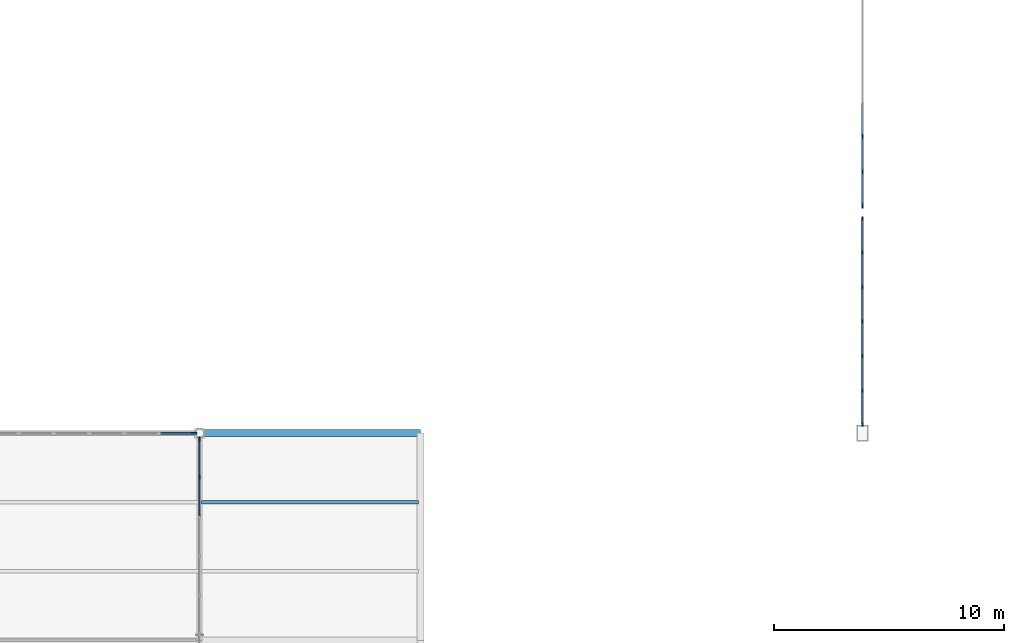
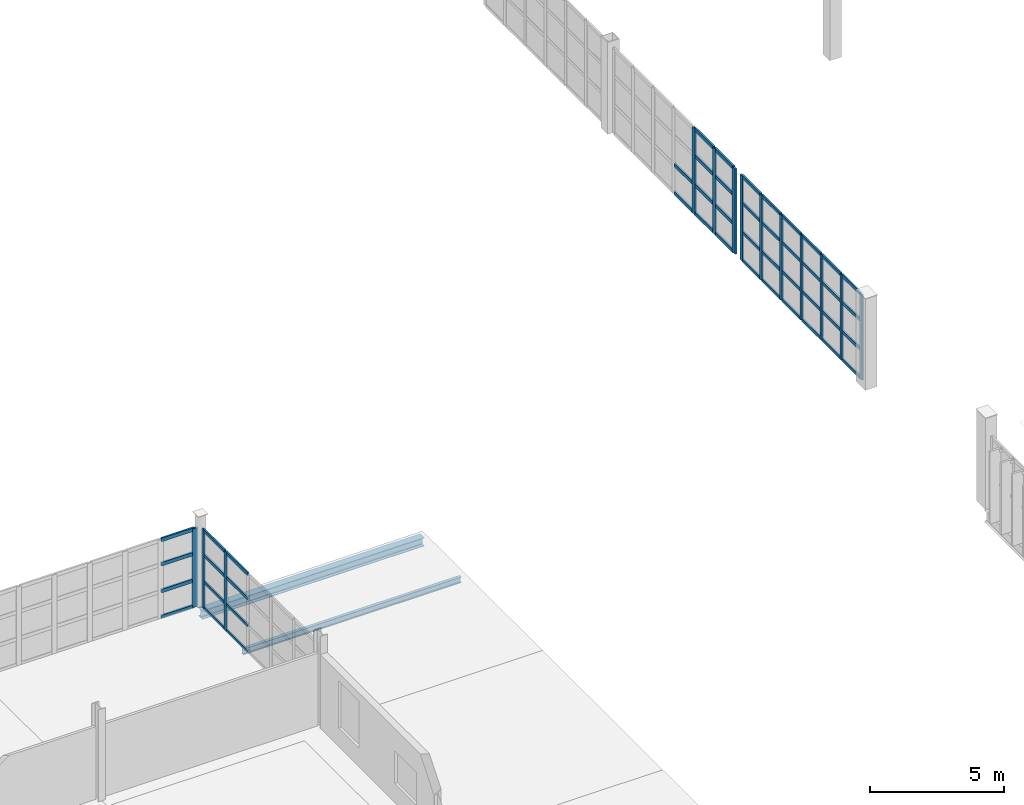
# One storey, part 31 of 82: 59 members, 2 beams, 4 elements without a shape of their own.
"""IFC4 building model written with IfcOpenShell, lengths in metres."""

from ifc_helpers import new_model, si_unit, direction, frame, origin, origin_2d, place, context, subcontext, project, spatial, rectangle, i_section, extrude, material, layer, layer_set, material_profile, profile_set, type_object, element, aggregate, save


model = new_model("IFC4")

# Units and contexts
model_context = context("Model", 3, precision=1e-05, world=origin(), true_north=direction((0.0, 1.0)))
body_context = subcontext(model_context, "Body", "Model", "MODEL_VIEW")
ifc_project = project(units=[si_unit("LENGTHUNIT", "METRE"), si_unit("AREAUNIT", "SQUARE_METRE"), si_unit("VOLUMEUNIT", "CUBIC_METRE"), si_unit("PLANEANGLEUNIT", "RADIAN"), si_unit("MASSUNIT", "GRAM", prefix="KILO")], contexts=[model_context])

# Site, building, storey
site_placement = place(None, origin())
site = spatial("IfcSite", under=ifc_project, at=site_placement, CompositionType="ELEMENT")
building_placement = place(site_placement, origin())
building = spatial("IfcBuilding", under=site, at=building_placement, Name="Zarnetskaya Central Station", CompositionType="ELEMENT")
storey_placement = place(building_placement, frame((0.0, 0.0, 10.199951171875)))
storey = spatial("IfcBuildingStorey", under=building, at=storey_placement, Name="L02", CompositionType="ELEMENT", Elevation=10.199951171875)

# Beam
ifc_material_1 = material(Name="Steel S355", Category="steel")
ifc_material_profile_1 = material_profile(ifc_material_1, i_section(OverallWidth=0.135009765625, OverallDepth=0.27001953125, WebThickness=0.006591796875, FlangeThickness=0.01025390625, FilletRadius=0.014892578125, at=origin_2d()), Name="IPE 270")
ifc_profile_set_1 = profile_set([ifc_material_profile_1], Name="Steel S355")
beam_type_1 = type_object("IfcBeamType", Name="BM-JST-270", PredefinedType="JOIST", material=ifc_profile_set_1)
beam_1_placement = place(storey_placement, frame((28.8798828125, 64.199951171875, -0.344970703125), z_axis=(1.0, 0.0, 0.0), x_axis=(0.0, 1.0, 0.0)))
element("IfcBeam", 1, at=beam_1_placement, inside=storey, type_object=beam_type_1, Name="Secondary floor beam SEC-L02-Z999-DE-89-2", PredefinedType="JOIST", context=body_context, shape_type="SweptSolid", body=[
    extrude(i_section(OverallWidth=0.135009765625, OverallDepth=0.27001953125, WebThickness=0.006591796875, FlangeThickness=0.01025390625, FilletRadius=0.014892578125, at=origin_2d()), origin(), (0.0, 0.0, 1.0), 9.440185546875),
])

# Curtain wall, members
ifc_material_2 = material(Name="Low-E insulated glass", Category="glass")
ifc_layer_1 = layer(ifc_material_2, 0.172119140625, Name="Low-E insulated glass", Category="glass")
ifc_layer_set_1 = layer_set([ifc_layer_1], Name="Low-E insulated glass")
curtain_wall_type_1 = type_object("IfcCurtainWallType", Name="CW-SYS-04", PredefinedType="USERDEFINED", material=ifc_layer_set_1)
curtain_wall_1_placement = place(storey_placement, origin())
curtain_wall_1 = element("IfcCurtainWall", 2, at=curtain_wall_1_placement, inside=storey, type_object=curtain_wall_type_1, Name="Curtain wall CW-L02-021", ObjectType="CURTAIN WALL", PredefinedType="USERDEFINED")
ifc_material_3 = material(Name="Anodised aluminium", Category="aluminium")
ifc_material_profile_2 = material_profile(ifc_material_3, rectangle(XDim=0.070068359375, YDim=0.179931640625, at=origin_2d()), Name="ALU MULL 70x180")
ifc_profile_set_2 = profile_set([ifc_material_profile_2], Name="Anodised aluminium")
member_type_1 = type_object("IfcMemberType", Name="CW-MULL-180", PredefinedType="MULLION", material=ifc_profile_set_2)
member_1_placement = place(storey_placement, frame((28.800048828125, 66.9619140625, 0.0), z_axis=(0.0, 0.0, 1.0), x_axis=(1.0, 0.0, 0.0)))
member_1 = element("IfcMember", 3, at=member_1_placement, type_object=member_type_1, Name="CW-15 mullion 1", PredefinedType="MULLION", context=body_context, shape_type="SweptSolid", body=[
    extrude(rectangle(XDim=0.070068359375, YDim=0.179931640625, at=origin_2d()), origin(), (0.0, 0.0, 1.0), 3.60009765625),
])
member_2_placement = place(storey_placement, frame((28.800048828125, 65.287353515625, 0.0), z_axis=(0.0, 0.0, 1.0), x_axis=(1.0, 0.0, 0.0)))
member_2 = element("IfcMember", 4, at=member_2_placement, type_object=member_type_1, Name="CW-15 mullion 2", PredefinedType="MULLION", context=body_context, shape_type="SweptSolid", body=[
    extrude(rectangle(XDim=0.070068359375, YDim=0.179931640625, at=origin_2d()), origin(), (0.0, 0.0, 1.0), 3.60009765625),
])

ifc_layer_2 = layer(ifc_material_2, 0.1640625, Name="Low-E insulated glass", Category="glass")
ifc_layer_set_2 = layer_set([ifc_layer_2], Name="Low-E insulated glass")
curtain_wall_type_2 = type_object("IfcCurtainWallType", Name="CW-SYS-12", PredefinedType="USERDEFINED", material=ifc_layer_set_2)
curtain_wall_2_placement = place(storey_placement, origin())
curtain_wall_2 = element("IfcCurtainWall", 5, at=curtain_wall_2_placement, inside=storey, type_object=curtain_wall_type_2, Name="Curtain wall CW-L02-163", ObjectType="CURTAIN WALL", PredefinedType="USERDEFINED")
member_3_placement = place(storey_placement, frame((57.60009765625, 67.5849609375, 0.0), z_axis=(0.0, 0.0, 1.0), x_axis=(-1.0, 0.0, 0.0)))
member_3 = element("IfcMember", 6, at=member_3_placement, type_object=member_type_1, Name="CW-18 mullion 1", PredefinedType="MULLION", context=body_context, shape_type="SweptSolid", body=[
    extrude(rectangle(XDim=0.070068359375, YDim=0.179931640625, at=origin_2d()), origin(), (0.0, 0.0, 1.0), 3.900146484375),
])
member_4_placement = place(storey_placement, frame((57.60009765625, 69.050048828125, 0.0), z_axis=(0.0, 0.0, 1.0), x_axis=(-1.0, 0.0, 0.0)))
member_4 = element("IfcMember", 7, at=member_4_placement, type_object=member_type_1, Name="CW-18 mullion 2", PredefinedType="MULLION", context=body_context, shape_type="SweptSolid", body=[
    extrude(rectangle(XDim=0.070068359375, YDim=0.179931640625, at=origin_2d()), origin(), (0.0, 0.0, 1.0), 3.900146484375),
])
member_5_placement = place(storey_placement, frame((57.60009765625, 70.550048828125, 0.0), z_axis=(0.0, 0.0, 1.0), x_axis=(-1.0, 0.0, 0.0)))
member_5 = element("IfcMember", 8, at=member_5_placement, type_object=member_type_1, Name="CW-18 mullion 3", PredefinedType="MULLION", context=body_context, shape_type="SweptSolid", body=[
    extrude(rectangle(XDim=0.070068359375, YDim=0.179931640625, at=origin_2d()), origin(), (0.0, 0.0, 1.0), 3.900146484375),
])
member_6_placement = place(storey_placement, frame((57.60009765625, 72.050048828125, 0.0), z_axis=(0.0, 0.0, 1.0), x_axis=(-1.0, 0.0, 0.0)))
member_6 = element("IfcMember", 9, at=member_6_placement, type_object=member_type_1, Name="CW-18 mullion 4", PredefinedType="MULLION", context=body_context, shape_type="SweptSolid", body=[
    extrude(rectangle(XDim=0.070068359375, YDim=0.179931640625, at=origin_2d()), origin(), (0.0, 0.0, 1.0), 3.900146484375),
])
member_7_placement = place(storey_placement, frame((57.60009765625, 73.550048828125, 0.0), z_axis=(0.0, 0.0, 1.0), x_axis=(-1.0, 0.0, 0.0)))
member_7 = element("IfcMember", 10, at=member_7_placement, type_object=member_type_1, Name="CW-18 mullion 5", PredefinedType="MULLION", context=body_context, shape_type="SweptSolid", body=[
    extrude(rectangle(XDim=0.070068359375, YDim=0.179931640625, at=origin_2d()), origin(), (0.0, 0.0, 1.0), 3.900146484375),
])
member_8_placement = place(storey_placement, frame((57.60009765625, 75.050048828125, 0.0), z_axis=(0.0, 0.0, 1.0), x_axis=(-1.0, 0.0, 0.0)))
member_8 = element("IfcMember", 11, at=member_8_placement, type_object=member_type_1, Name="CW-18 mullion 6", PredefinedType="MULLION", context=body_context, shape_type="SweptSolid", body=[
    extrude(rectangle(XDim=0.070068359375, YDim=0.179931640625, at=origin_2d()), origin(), (0.0, 0.0, 1.0), 3.900146484375),
])
member_9_placement = place(storey_placement, frame((57.60009765625, 76.514892578125, 0.0), z_axis=(0.0, 0.0, 1.0), x_axis=(-1.0, 0.0, 0.0)))
member_9 = element("IfcMember", 12, at=member_9_placement, type_object=member_type_1, Name="CW-18 mullion 7", PredefinedType="MULLION", context=body_context, shape_type="SweptSolid", body=[
    extrude(rectangle(XDim=0.070068359375, YDim=0.179931640625, at=origin_2d()), origin(), (0.0, 0.0, 1.0), 3.900146484375),
])

# Curtain wall, member
ifc_layer_3 = layer(ifc_material_2, 0.159912109375, Name="Low-E insulated glass", Category="glass")
ifc_layer_set_3 = layer_set([ifc_layer_3], Name="Low-E insulated glass")
curtain_wall_type_3 = type_object("IfcCurtainWallType", Name="CW-SYS-06", PredefinedType="USERDEFINED", material=ifc_layer_set_3)
curtain_wall_3_placement = place(storey_placement, origin())
curtain_wall_3 = element("IfcCurtainWall", 13, at=curtain_wall_3_placement, inside=storey, type_object=curtain_wall_type_3, Name="Curtain wall CW-L02-020", ObjectType="CURTAIN WALL", PredefinedType="USERDEFINED")
ifc_material_profile_3 = material_profile(ifc_material_3, rectangle(XDim=0.080078125, YDim=0.219970703125, at=origin_2d()), Name="ALU MULL 80x220")
ifc_profile_set_3 = profile_set([ifc_material_profile_3], Name="Anodised aluminium")
member_type_2 = type_object("IfcMemberType", Name="CW-MULL-220", PredefinedType="MULLION", material=ifc_profile_set_3)
member_10_placement = place(storey_placement, frame((28.556884765625, 67.199951171875, 0.0), z_axis=(0.0, 0.0, 1.0), x_axis=(0.0, 1.0, 0.0)))
member_10 = element("IfcMember", 14, at=member_10_placement, type_object=member_type_2, Name="CW-02 mullion 7", PredefinedType="MULLION", context=body_context, shape_type="SweptSolid", body=[
    extrude(rectangle(XDim=0.080078125, YDim=0.219970703125, at=origin_2d()), origin(), (0.0, 0.0, 1.0), 3.60009765625),
])

# Curtain wall, members
curtain_wall_4_placement = place(storey_placement, origin())
curtain_wall_4 = element("IfcCurtainWall", 15, at=curtain_wall_4_placement, inside=storey, type_object=curtain_wall_type_2, Name="Curtain wall CW-L02-164", ObjectType="CURTAIN WALL", PredefinedType="USERDEFINED")
member_11_placement = place(storey_placement, frame((57.60009765625, 77.090087890625, 0.0), z_axis=(0.0, 0.0, 1.0), x_axis=(-1.0, 0.0, 0.0)))
member_11 = element("IfcMember", 16, at=member_11_placement, type_object=member_type_2, Name="CW-18 mullion 1", PredefinedType="MULLION", context=body_context, shape_type="SweptSolid", body=[
    extrude(rectangle(XDim=0.080078125, YDim=0.219970703125, at=origin_2d()), origin(), (0.0, 0.0, 1.0), 3.900146484375),
])
member_12_placement = place(storey_placement, frame((57.60009765625, 78.566650390625, 0.0), z_axis=(0.0, 0.0, 1.0), x_axis=(-1.0, 0.0, 0.0)))
member_12 = element("IfcMember", 17, at=member_12_placement, type_object=member_type_2, Name="CW-18 mullion 2", PredefinedType="MULLION", context=body_context, shape_type="SweptSolid", body=[
    extrude(rectangle(XDim=0.080078125, YDim=0.219970703125, at=origin_2d()), origin(), (0.0, 0.0, 1.0), 3.900146484375),
])
member_13_placement = place(storey_placement, frame((57.60009765625, 80.083251953125, 0.0), z_axis=(0.0, 0.0, 1.0), x_axis=(-1.0, 0.0, 0.0)))
member_13 = element("IfcMember", 18, at=member_13_placement, type_object=member_type_2, Name="CW-18 mullion 3", PredefinedType="MULLION", context=body_context, shape_type="SweptSolid", body=[
    extrude(rectangle(XDim=0.080078125, YDim=0.219970703125, at=origin_2d()), origin(), (0.0, 0.0, 1.0), 3.900146484375),
])

# Member
ifc_material_profile_4 = material_profile(ifc_material_3, rectangle(XDim=0.070068359375, YDim=0.139892578125, at=origin_2d()), Name="ALU TRAN 70x140")
ifc_profile_set_4 = profile_set([ifc_material_profile_4], Name="Anodised aluminium")
member_type_3 = type_object("IfcMemberType", Name="CW-TRAN-140", PredefinedType="USERDEFINED", material=ifc_profile_set_4)
member_14_placement = place(storey_placement, frame((28.800048828125, 66.9267578125, 0.03515625), z_axis=(0.0, -1.0, 0.0), x_axis=(1.0, 0.0, 0.0)))
member_14 = element("IfcMember", 19, at=member_14_placement, type_object=member_type_3, Name="CW-15 transom 1.1", ObjectType="TRANSOM", PredefinedType="USERDEFINED", context=body_context, shape_type="SweptSolid", body=[
    extrude(rectangle(XDim=0.070068359375, YDim=0.139892578125, at=origin_2d()), origin(), (0.0, 0.0, 1.0), 1.604248046875),
])

member_15_placement = place(storey_placement, frame((28.800048828125, 66.9267578125, 1.22412109375), z_axis=(0.0, -1.0, 0.0), x_axis=(1.0, 0.0, 0.0)))
member_15 = element("IfcMember", 20, at=member_15_placement, type_object=member_type_3, Name="CW-15 transom 1.2", ObjectType="TRANSOM", PredefinedType="USERDEFINED", context=body_context, shape_type="SweptSolid", body=[
    extrude(rectangle(XDim=0.070068359375, YDim=0.139892578125, at=origin_2d()), origin(), (0.0, 0.0, 1.0), 1.604248046875),
])

member_16_placement = place(storey_placement, frame((28.800048828125, 66.9267578125, 2.447998046875), z_axis=(0.0, -1.0, 0.0), x_axis=(1.0, 0.0, 0.0)))
member_16 = element("IfcMember", 21, at=member_16_placement, type_object=member_type_3, Name="CW-15 transom 1.3", ObjectType="TRANSOM", PredefinedType="USERDEFINED", context=body_context, shape_type="SweptSolid", body=[
    extrude(rectangle(XDim=0.070068359375, YDim=0.139892578125, at=origin_2d()), origin(), (0.0, 0.0, 1.0), 1.604248046875),
])

member_17_placement = place(storey_placement, frame((28.800048828125, 66.9267578125, 3.56494140625), z_axis=(0.0, -1.0, 0.0), x_axis=(1.0, 0.0, 0.0)))
member_17 = element("IfcMember", 22, at=member_17_placement, type_object=member_type_3, Name="CW-15 transom 1.4", ObjectType="TRANSOM", PredefinedType="USERDEFINED", context=body_context, shape_type="SweptSolid", body=[
    extrude(rectangle(XDim=0.070068359375, YDim=0.139892578125, at=origin_2d()), origin(), (0.0, 0.0, 1.0), 1.604248046875),
])

member_18_placement = place(storey_placement, frame((28.800048828125, 65.25244140625, 0.03515625), z_axis=(0.0, -1.0, 0.0), x_axis=(1.0, 0.0, 0.0)))
member_18 = element("IfcMember", 23, at=member_18_placement, type_object=member_type_3, Name="CW-15 transom 2.1", ObjectType="TRANSOM", PredefinedType="USERDEFINED", context=body_context, shape_type="SweptSolid", body=[
    extrude(rectangle(XDim=0.070068359375, YDim=0.139892578125, at=origin_2d()), origin(), (0.0, 0.0, 1.0), 1.639404296875),
])

member_19_placement = place(storey_placement, frame((28.800048828125, 65.25244140625, 1.22412109375), z_axis=(0.0, -1.0, 0.0), x_axis=(1.0, 0.0, 0.0)))
member_19 = element("IfcMember", 24, at=member_19_placement, type_object=member_type_3, Name="CW-15 transom 2.2", ObjectType="TRANSOM", PredefinedType="USERDEFINED", context=body_context, shape_type="SweptSolid", body=[
    extrude(rectangle(XDim=0.070068359375, YDim=0.139892578125, at=origin_2d()), origin(), (0.0, 0.0, 1.0), 1.639404296875),
])

member_20_placement = place(storey_placement, frame((28.800048828125, 65.25244140625, 2.447998046875), z_axis=(0.0, -1.0, 0.0), x_axis=(1.0, 0.0, 0.0)))
member_20 = element("IfcMember", 25, at=member_20_placement, type_object=member_type_3, Name="CW-15 transom 2.3", ObjectType="TRANSOM", PredefinedType="USERDEFINED", context=body_context, shape_type="SweptSolid", body=[
    extrude(rectangle(XDim=0.070068359375, YDim=0.139892578125, at=origin_2d()), origin(), (0.0, 0.0, 1.0), 1.639404296875),
])

member_21_placement = place(storey_placement, frame((28.800048828125, 65.25244140625, 3.56494140625), z_axis=(0.0, -1.0, 0.0), x_axis=(1.0, 0.0, 0.0)))
member_21 = element("IfcMember", 26, at=member_21_placement, type_object=member_type_3, Name="CW-15 transom 2.4", ObjectType="TRANSOM", PredefinedType="USERDEFINED", context=body_context, shape_type="SweptSolid", body=[
    extrude(rectangle(XDim=0.070068359375, YDim=0.139892578125, at=origin_2d()), origin(), (0.0, 0.0, 1.0), 1.639404296875),
])

aggregate(curtain_wall_1, [member_1, member_2, member_14, member_15, member_16, member_17, member_18, member_19, member_20, member_21])

member_22_placement = place(storey_placement, frame((57.60009765625, 67.6201171875, 0.03515625), z_axis=(0.0, 1.0, 0.0), x_axis=(-1.0, 0.0, 0.0)))
member_22 = element("IfcMember", 27, at=member_22_placement, type_object=member_type_3, Name="CW-18 transom 1.1", ObjectType="TRANSOM", PredefinedType="USERDEFINED", context=body_context, shape_type="SweptSolid", body=[
    extrude(rectangle(XDim=0.070068359375, YDim=0.139892578125, at=origin_2d()), origin(), (0.0, 0.0, 1.0), 1.394775390625),
])

member_23_placement = place(storey_placement, frame((57.60009765625, 67.6201171875, 1.325927734375), z_axis=(0.0, 1.0, 0.0), x_axis=(-1.0, 0.0, 0.0)))
member_23 = element("IfcMember", 28, at=member_23_placement, type_object=member_type_3, Name="CW-18 transom 1.2", ObjectType="TRANSOM", PredefinedType="USERDEFINED", context=body_context, shape_type="SweptSolid", body=[
    extrude(rectangle(XDim=0.070068359375, YDim=0.139892578125, at=origin_2d()), origin(), (0.0, 0.0, 1.0), 1.394775390625),
])

member_24_placement = place(storey_placement, frame((57.60009765625, 67.6201171875, 2.652099609375), z_axis=(0.0, 1.0, 0.0), x_axis=(-1.0, 0.0, 0.0)))
member_24 = element("IfcMember", 29, at=member_24_placement, type_object=member_type_3, Name="CW-18 transom 1.3", ObjectType="TRANSOM", PredefinedType="USERDEFINED", context=body_context, shape_type="SweptSolid", body=[
    extrude(rectangle(XDim=0.070068359375, YDim=0.139892578125, at=origin_2d()), origin(), (0.0, 0.0, 1.0), 1.394775390625),
])

member_25_placement = place(storey_placement, frame((57.60009765625, 67.6201171875, 3.864990234375), z_axis=(0.0, 1.0, 0.0), x_axis=(-1.0, 0.0, 0.0)))
member_25 = element("IfcMember", 30, at=member_25_placement, type_object=member_type_3, Name="CW-18 transom 1.4", ObjectType="TRANSOM", PredefinedType="USERDEFINED", context=body_context, shape_type="SweptSolid", body=[
    extrude(rectangle(XDim=0.070068359375, YDim=0.139892578125, at=origin_2d()), origin(), (0.0, 0.0, 1.0), 1.394775390625),
])

member_26_placement = place(storey_placement, frame((57.60009765625, 69.0849609375, 0.03515625), z_axis=(0.0, 1.0, 0.0), x_axis=(-1.0, 0.0, 0.0)))
member_26 = element("IfcMember", 31, at=member_26_placement, type_object=member_type_3, Name="CW-18 transom 2.1", ObjectType="TRANSOM", PredefinedType="USERDEFINED", context=body_context, shape_type="SweptSolid", body=[
    extrude(rectangle(XDim=0.070068359375, YDim=0.139892578125, at=origin_2d()), origin(), (0.0, 0.0, 1.0), 1.429931640625),
])

member_27_placement = place(storey_placement, frame((57.60009765625, 69.0849609375, 1.325927734375), z_axis=(0.0, 1.0, 0.0), x_axis=(-1.0, 0.0, 0.0)))
member_27 = element("IfcMember", 32, at=member_27_placement, type_object=member_type_3, Name="CW-18 transom 2.2", ObjectType="TRANSOM", PredefinedType="USERDEFINED", context=body_context, shape_type="SweptSolid", body=[
    extrude(rectangle(XDim=0.070068359375, YDim=0.139892578125, at=origin_2d()), origin(), (0.0, 0.0, 1.0), 1.429931640625),
])

member_28_placement = place(storey_placement, frame((57.60009765625, 69.0849609375, 2.652099609375), z_axis=(0.0, 1.0, 0.0), x_axis=(-1.0, 0.0, 0.0)))
member_28 = element("IfcMember", 33, at=member_28_placement, type_object=member_type_3, Name="CW-18 transom 2.3", ObjectType="TRANSOM", PredefinedType="USERDEFINED", context=body_context, shape_type="SweptSolid", body=[
    extrude(rectangle(XDim=0.070068359375, YDim=0.139892578125, at=origin_2d()), origin(), (0.0, 0.0, 1.0), 1.429931640625),
])

member_29_placement = place(storey_placement, frame((57.60009765625, 69.0849609375, 3.864990234375), z_axis=(0.0, 1.0, 0.0), x_axis=(-1.0, 0.0, 0.0)))
member_29 = element("IfcMember", 34, at=member_29_placement, type_object=member_type_3, Name="CW-18 transom 2.4", ObjectType="TRANSOM", PredefinedType="USERDEFINED", context=body_context, shape_type="SweptSolid", body=[
    extrude(rectangle(XDim=0.070068359375, YDim=0.139892578125, at=origin_2d()), origin(), (0.0, 0.0, 1.0), 1.429931640625),
])

member_30_placement = place(storey_placement, frame((57.60009765625, 70.5849609375, 0.03515625), z_axis=(0.0, 1.0, 0.0), x_axis=(-1.0, 0.0, 0.0)))
member_30 = element("IfcMember", 35, at=member_30_placement, type_object=member_type_3, Name="CW-18 transom 3.1", ObjectType="TRANSOM", PredefinedType="USERDEFINED", context=body_context, shape_type="SweptSolid", body=[
    extrude(rectangle(XDim=0.070068359375, YDim=0.139892578125, at=origin_2d()), origin(), (0.0, 0.0, 1.0), 1.429931640625),
])

member_31_placement = place(storey_placement, frame((57.60009765625, 70.5849609375, 1.325927734375), z_axis=(0.0, 1.0, 0.0), x_axis=(-1.0, 0.0, 0.0)))
member_31 = element("IfcMember", 36, at=member_31_placement, type_object=member_type_3, Name="CW-18 transom 3.2", ObjectType="TRANSOM", PredefinedType="USERDEFINED", context=body_context, shape_type="SweptSolid", body=[
    extrude(rectangle(XDim=0.070068359375, YDim=0.139892578125, at=origin_2d()), origin(), (0.0, 0.0, 1.0), 1.429931640625),
])

member_32_placement = place(storey_placement, frame((57.60009765625, 70.5849609375, 2.652099609375), z_axis=(0.0, 1.0, 0.0), x_axis=(-1.0, 0.0, 0.0)))
member_32 = element("IfcMember", 37, at=member_32_placement, type_object=member_type_3, Name="CW-18 transom 3.3", ObjectType="TRANSOM", PredefinedType="USERDEFINED", context=body_context, shape_type="SweptSolid", body=[
    extrude(rectangle(XDim=0.070068359375, YDim=0.139892578125, at=origin_2d()), origin(), (0.0, 0.0, 1.0), 1.429931640625),
])

member_33_placement = place(storey_placement, frame((57.60009765625, 70.5849609375, 3.864990234375), z_axis=(0.0, 1.0, 0.0), x_axis=(-1.0, 0.0, 0.0)))
member_33 = element("IfcMember", 38, at=member_33_placement, type_object=member_type_3, Name="CW-18 transom 3.4", ObjectType="TRANSOM", PredefinedType="USERDEFINED", context=body_context, shape_type="SweptSolid", body=[
    extrude(rectangle(XDim=0.070068359375, YDim=0.139892578125, at=origin_2d()), origin(), (0.0, 0.0, 1.0), 1.429931640625),
])

member_34_placement = place(storey_placement, frame((57.60009765625, 72.0849609375, 0.03515625), z_axis=(0.0, 1.0, 0.0), x_axis=(-1.0, 0.0, 0.0)))
member_34 = element("IfcMember", 39, at=member_34_placement, type_object=member_type_3, Name="CW-18 transom 4.1", ObjectType="TRANSOM", PredefinedType="USERDEFINED", context=body_context, shape_type="SweptSolid", body=[
    extrude(rectangle(XDim=0.070068359375, YDim=0.139892578125, at=origin_2d()), origin(), (0.0, 0.0, 1.0), 1.429931640625),
])

member_35_placement = place(storey_placement, frame((57.60009765625, 72.0849609375, 1.325927734375), z_axis=(0.0, 1.0, 0.0), x_axis=(-1.0, 0.0, 0.0)))
member_35 = element("IfcMember", 40, at=member_35_placement, type_object=member_type_3, Name="CW-18 transom 4.2", ObjectType="TRANSOM", PredefinedType="USERDEFINED", context=body_context, shape_type="SweptSolid", body=[
    extrude(rectangle(XDim=0.070068359375, YDim=0.139892578125, at=origin_2d()), origin(), (0.0, 0.0, 1.0), 1.429931640625),
])

member_36_placement = place(storey_placement, frame((57.60009765625, 72.0849609375, 2.652099609375), z_axis=(0.0, 1.0, 0.0), x_axis=(-1.0, 0.0, 0.0)))
member_36 = element("IfcMember", 41, at=member_36_placement, type_object=member_type_3, Name="CW-18 transom 4.3", ObjectType="TRANSOM", PredefinedType="USERDEFINED", context=body_context, shape_type="SweptSolid", body=[
    extrude(rectangle(XDim=0.070068359375, YDim=0.139892578125, at=origin_2d()), origin(), (0.0, 0.0, 1.0), 1.429931640625),
])

member_37_placement = place(storey_placement, frame((57.60009765625, 72.0849609375, 3.864990234375), z_axis=(0.0, 1.0, 0.0), x_axis=(-1.0, 0.0, 0.0)))
member_37 = element("IfcMember", 42, at=member_37_placement, type_object=member_type_3, Name="CW-18 transom 4.4", ObjectType="TRANSOM", PredefinedType="USERDEFINED", context=body_context, shape_type="SweptSolid", body=[
    extrude(rectangle(XDim=0.070068359375, YDim=0.139892578125, at=origin_2d()), origin(), (0.0, 0.0, 1.0), 1.429931640625),
])

member_38_placement = place(storey_placement, frame((57.60009765625, 73.5849609375, 0.03515625), z_axis=(0.0, 1.0, 0.0), x_axis=(-1.0, 0.0, 0.0)))
member_38 = element("IfcMember", 43, at=member_38_placement, type_object=member_type_3, Name="CW-18 transom 5.1", ObjectType="TRANSOM", PredefinedType="USERDEFINED", context=body_context, shape_type="SweptSolid", body=[
    extrude(rectangle(XDim=0.070068359375, YDim=0.139892578125, at=origin_2d()), origin(), (0.0, 0.0, 1.0), 1.429931640625),
])

member_39_placement = place(storey_placement, frame((57.60009765625, 73.5849609375, 1.325927734375), z_axis=(0.0, 1.0, 0.0), x_axis=(-1.0, 0.0, 0.0)))
member_39 = element("IfcMember", 44, at=member_39_placement, type_object=member_type_3, Name="CW-18 transom 5.2", ObjectType="TRANSOM", PredefinedType="USERDEFINED", context=body_context, shape_type="SweptSolid", body=[
    extrude(rectangle(XDim=0.070068359375, YDim=0.139892578125, at=origin_2d()), origin(), (0.0, 0.0, 1.0), 1.429931640625),
])

member_40_placement = place(storey_placement, frame((57.60009765625, 73.5849609375, 2.652099609375), z_axis=(0.0, 1.0, 0.0), x_axis=(-1.0, 0.0, 0.0)))
member_40 = element("IfcMember", 45, at=member_40_placement, type_object=member_type_3, Name="CW-18 transom 5.3", ObjectType="TRANSOM", PredefinedType="USERDEFINED", context=body_context, shape_type="SweptSolid", body=[
    extrude(rectangle(XDim=0.070068359375, YDim=0.139892578125, at=origin_2d()), origin(), (0.0, 0.0, 1.0), 1.429931640625),
])

member_41_placement = place(storey_placement, frame((57.60009765625, 73.5849609375, 3.864990234375), z_axis=(0.0, 1.0, 0.0), x_axis=(-1.0, 0.0, 0.0)))
member_41 = element("IfcMember", 46, at=member_41_placement, type_object=member_type_3, Name="CW-18 transom 5.4", ObjectType="TRANSOM", PredefinedType="USERDEFINED", context=body_context, shape_type="SweptSolid", body=[
    extrude(rectangle(XDim=0.070068359375, YDim=0.139892578125, at=origin_2d()), origin(), (0.0, 0.0, 1.0), 1.429931640625),
])

member_42_placement = place(storey_placement, frame((57.60009765625, 75.0849609375, 0.03515625), z_axis=(0.0, 1.0, 0.0), x_axis=(-1.0, 0.0, 0.0)))
member_42 = element("IfcMember", 47, at=member_42_placement, type_object=member_type_3, Name="CW-18 transom 6.1", ObjectType="TRANSOM", PredefinedType="USERDEFINED", context=body_context, shape_type="SweptSolid", body=[
    extrude(rectangle(XDim=0.070068359375, YDim=0.139892578125, at=origin_2d()), origin(), (0.0, 0.0, 1.0), 1.39501953125),
])

member_43_placement = place(storey_placement, frame((57.60009765625, 75.0849609375, 1.325927734375), z_axis=(0.0, 1.0, 0.0), x_axis=(-1.0, 0.0, 0.0)))
member_43 = element("IfcMember", 48, at=member_43_placement, type_object=member_type_3, Name="CW-18 transom 6.2", ObjectType="TRANSOM", PredefinedType="USERDEFINED", context=body_context, shape_type="SweptSolid", body=[
    extrude(rectangle(XDim=0.070068359375, YDim=0.139892578125, at=origin_2d()), origin(), (0.0, 0.0, 1.0), 1.39501953125),
])

member_44_placement = place(storey_placement, frame((57.60009765625, 75.0849609375, 2.652099609375), z_axis=(0.0, 1.0, 0.0), x_axis=(-1.0, 0.0, 0.0)))
member_44 = element("IfcMember", 49, at=member_44_placement, type_object=member_type_3, Name="CW-18 transom 6.3", ObjectType="TRANSOM", PredefinedType="USERDEFINED", context=body_context, shape_type="SweptSolid", body=[
    extrude(rectangle(XDim=0.070068359375, YDim=0.139892578125, at=origin_2d()), origin(), (0.0, 0.0, 1.0), 1.39501953125),
])

member_45_placement = place(storey_placement, frame((57.60009765625, 75.0849609375, 3.864990234375), z_axis=(0.0, 1.0, 0.0), x_axis=(-1.0, 0.0, 0.0)))
member_45 = element("IfcMember", 50, at=member_45_placement, type_object=member_type_3, Name="CW-18 transom 6.4", ObjectType="TRANSOM", PredefinedType="USERDEFINED", context=body_context, shape_type="SweptSolid", body=[
    extrude(rectangle(XDim=0.070068359375, YDim=0.139892578125, at=origin_2d()), origin(), (0.0, 0.0, 1.0), 1.39501953125),
])

aggregate(curtain_wall_2, [member_3, member_4, member_5, member_6, member_7, member_8, member_9, member_22, member_23, member_24, member_25, member_26, member_27, member_28, member_29, member_30, member_31, member_32, member_33, member_34, member_35, member_36, member_37, member_38, member_39, member_40, member_41, member_42, member_43, member_44, member_45])

ifc_material_profile_5 = material_profile(ifc_material_3, rectangle(XDim=0.080078125, YDim=0.159912109375, at=origin_2d()), Name="ALU TRAN 80x160")
ifc_profile_set_5 = profile_set([ifc_material_profile_5], Name="Anodised aluminium")
member_type_4 = type_object("IfcMemberType", Name="CW-TRAN-160", PredefinedType="USERDEFINED", material=ifc_profile_set_5)
member_46_placement = place(storey_placement, frame((27.1044921875, 67.199951171875, 0.0400390625), z_axis=(1.0, 0.0, 0.0), x_axis=(0.0, 1.0, 0.0)))
member_46 = element("IfcMember", 51, at=member_46_placement, type_object=member_type_4, Name="CW-02 transom 6.1", ObjectType="TRANSOM", PredefinedType="USERDEFINED", context=body_context, shape_type="SweptSolid", body=[
    extrude(rectangle(XDim=0.080078125, YDim=0.159912109375, at=origin_2d()), origin(), (0.0, 0.0, 1.0), 1.412353515625),
])

member_47_placement = place(storey_placement, frame((27.1044921875, 67.199951171875, 1.22412109375), z_axis=(1.0, 0.0, 0.0), x_axis=(0.0, 1.0, 0.0)))
member_47 = element("IfcMember", 52, at=member_47_placement, type_object=member_type_4, Name="CW-02 transom 6.2", ObjectType="TRANSOM", PredefinedType="USERDEFINED", context=body_context, shape_type="SweptSolid", body=[
    extrude(rectangle(XDim=0.080078125, YDim=0.159912109375, at=origin_2d()), origin(), (0.0, 0.0, 1.0), 1.412353515625),
])

member_48_placement = place(storey_placement, frame((27.1044921875, 67.199951171875, 2.447998046875), z_axis=(1.0, 0.0, 0.0), x_axis=(0.0, 1.0, 0.0)))
member_48 = element("IfcMember", 53, at=member_48_placement, type_object=member_type_4, Name="CW-02 transom 6.3", ObjectType="TRANSOM", PredefinedType="USERDEFINED", context=body_context, shape_type="SweptSolid", body=[
    extrude(rectangle(XDim=0.080078125, YDim=0.159912109375, at=origin_2d()), origin(), (0.0, 0.0, 1.0), 1.412353515625),
])

member_49_placement = place(storey_placement, frame((27.1044921875, 67.199951171875, 3.56005859375), z_axis=(1.0, 0.0, 0.0), x_axis=(0.0, 1.0, 0.0)))
member_49 = element("IfcMember", 54, at=member_49_placement, type_object=member_type_4, Name="CW-02 transom 6.4", ObjectType="TRANSOM", PredefinedType="USERDEFINED", context=body_context, shape_type="SweptSolid", body=[
    extrude(rectangle(XDim=0.080078125, YDim=0.159912109375, at=origin_2d()), origin(), (0.0, 0.0, 1.0), 1.412353515625),
])

aggregate(curtain_wall_3, [member_10, member_46, member_47, member_48, member_49])

member_50_placement = place(storey_placement, frame((57.60009765625, 77.1298828125, 0.0400390625), z_axis=(0.0, 1.0, 0.0), x_axis=(-1.0, 0.0, 0.0)))
member_50 = element("IfcMember", 55, at=member_50_placement, type_object=member_type_4, Name="CW-18 transom 1.1", ObjectType="TRANSOM", PredefinedType="USERDEFINED", context=body_context, shape_type="SweptSolid", body=[
    extrude(rectangle(XDim=0.080078125, YDim=0.159912109375, at=origin_2d()), origin(), (0.0, 0.0, 1.0), 1.396728515625),
])

member_51_placement = place(storey_placement, frame((57.60009765625, 77.1298828125, 1.325927734375), z_axis=(0.0, 1.0, 0.0), x_axis=(-1.0, 0.0, 0.0)))
member_51 = element("IfcMember", 56, at=member_51_placement, type_object=member_type_4, Name="CW-18 transom 1.2", ObjectType="TRANSOM", PredefinedType="USERDEFINED", context=body_context, shape_type="SweptSolid", body=[
    extrude(rectangle(XDim=0.080078125, YDim=0.159912109375, at=origin_2d()), origin(), (0.0, 0.0, 1.0), 1.396728515625),
])

member_52_placement = place(storey_placement, frame((57.60009765625, 77.1298828125, 2.652099609375), z_axis=(0.0, 1.0, 0.0), x_axis=(-1.0, 0.0, 0.0)))
member_52 = element("IfcMember", 57, at=member_52_placement, type_object=member_type_4, Name="CW-18 transom 1.3", ObjectType="TRANSOM", PredefinedType="USERDEFINED", context=body_context, shape_type="SweptSolid", body=[
    extrude(rectangle(XDim=0.080078125, YDim=0.159912109375, at=origin_2d()), origin(), (0.0, 0.0, 1.0), 1.396728515625),
])

member_53_placement = place(storey_placement, frame((57.60009765625, 77.1298828125, 3.860107421875), z_axis=(0.0, 1.0, 0.0), x_axis=(-1.0, 0.0, 0.0)))
member_53 = element("IfcMember", 58, at=member_53_placement, type_object=member_type_4, Name="CW-18 transom 1.4", ObjectType="TRANSOM", PredefinedType="USERDEFINED", context=body_context, shape_type="SweptSolid", body=[
    extrude(rectangle(XDim=0.080078125, YDim=0.159912109375, at=origin_2d()), origin(), (0.0, 0.0, 1.0), 1.396728515625),
])

member_54_placement = place(storey_placement, frame((57.60009765625, 78.606689453125, 0.0400390625), z_axis=(0.0, 1.0, 0.0), x_axis=(-1.0, 0.0, 0.0)))
member_54 = element("IfcMember", 59, at=member_54_placement, type_object=member_type_4, Name="CW-18 transom 2.1", ObjectType="TRANSOM", PredefinedType="USERDEFINED", context=body_context, shape_type="SweptSolid", body=[
    extrude(rectangle(XDim=0.080078125, YDim=0.159912109375, at=origin_2d()), origin(), (0.0, 0.0, 1.0), 1.4365234375),
])

member_55_placement = place(storey_placement, frame((57.60009765625, 78.606689453125, 1.325927734375), z_axis=(0.0, 1.0, 0.0), x_axis=(-1.0, 0.0, 0.0)))
member_55 = element("IfcMember", 60, at=member_55_placement, type_object=member_type_4, Name="CW-18 transom 2.2", ObjectType="TRANSOM", PredefinedType="USERDEFINED", context=body_context, shape_type="SweptSolid", body=[
    extrude(rectangle(XDim=0.080078125, YDim=0.159912109375, at=origin_2d()), origin(), (0.0, 0.0, 1.0), 1.4365234375),
])

member_56_placement = place(storey_placement, frame((57.60009765625, 78.606689453125, 2.652099609375), z_axis=(0.0, 1.0, 0.0), x_axis=(-1.0, 0.0, 0.0)))
member_56 = element("IfcMember", 61, at=member_56_placement, type_object=member_type_4, Name="CW-18 transom 2.3", ObjectType="TRANSOM", PredefinedType="USERDEFINED", context=body_context, shape_type="SweptSolid", body=[
    extrude(rectangle(XDim=0.080078125, YDim=0.159912109375, at=origin_2d()), origin(), (0.0, 0.0, 1.0), 1.4365234375),
])

member_57_placement = place(storey_placement, frame((57.60009765625, 78.606689453125, 3.860107421875), z_axis=(0.0, 1.0, 0.0), x_axis=(-1.0, 0.0, 0.0)))
member_57 = element("IfcMember", 62, at=member_57_placement, type_object=member_type_4, Name="CW-18 transom 2.4", ObjectType="TRANSOM", PredefinedType="USERDEFINED", context=body_context, shape_type="SweptSolid", body=[
    extrude(rectangle(XDim=0.080078125, YDim=0.159912109375, at=origin_2d()), origin(), (0.0, 0.0, 1.0), 1.4365234375),
])

member_58_placement = place(storey_placement, frame((57.60009765625, 80.123291015625, 0.0400390625), z_axis=(0.0, 1.0, 0.0), x_axis=(-1.0, 0.0, 0.0)))
member_58 = element("IfcMember", 63, at=member_58_placement, type_object=member_type_4, Name="CW-18 transom 3.1", ObjectType="TRANSOM", PredefinedType="USERDEFINED", context=body_context, shape_type="SweptSolid", body=[
    extrude(rectangle(XDim=0.080078125, YDim=0.159912109375, at=origin_2d()), origin(), (0.0, 0.0, 1.0), 1.436767578125),
])

member_59_placement = place(storey_placement, frame((57.60009765625, 80.123291015625, 1.325927734375), z_axis=(0.0, 1.0, 0.0), x_axis=(-1.0, 0.0, 0.0)))
member_59 = element("IfcMember", 64, at=member_59_placement, type_object=member_type_4, Name="CW-18 transom 3.2", ObjectType="TRANSOM", PredefinedType="USERDEFINED", context=body_context, shape_type="SweptSolid", body=[
    extrude(rectangle(XDim=0.080078125, YDim=0.159912109375, at=origin_2d()), origin(), (0.0, 0.0, 1.0), 1.436767578125),
])

aggregate(curtain_wall_4, [member_11, member_12, member_13, member_50, member_51, member_52, member_53, member_54, member_55, member_56, member_57, member_58, member_59])

# Beam
ifc_material_profile_6 = material_profile(ifc_material_1, i_section(OverallWidth=0.300048828125, OverallDepth=0.389892578125, WebThickness=0.010986328125, FlangeThickness=0.01904296875, FilletRadius=0.027099609375, at=origin_2d()), Name="HEA 400")
ifc_profile_set_6 = profile_set([ifc_material_profile_6], Name="Steel S355")
beam_type_2 = type_object("IfcBeamType", Name="GD-ROOF-400", PredefinedType="USERDEFINED", material=ifc_profile_set_6)
beam_2_placement = place(storey_placement, frame((28.800048828125, 67.199951171875, -0.405029296875), z_axis=(1.0, 0.0, 0.0), x_axis=(0.0, 1.0, 0.0)))
element("IfcBeam", 65, at=beam_2_placement, inside=storey, type_object=beam_type_2, Name="Grid girder GX-L02-9-DE", ObjectType="GIRDER", PredefinedType="USERDEFINED", context=body_context, shape_type="SweptSolid", body=[
    extrude(i_section(OverallWidth=0.300048828125, OverallDepth=0.389892578125, WebThickness=0.010986328125, FlangeThickness=0.01904296875, FilletRadius=0.027099609375, at=origin_2d()), origin(), (0.0, 0.0, 1.0), 9.599853515625),
])

save(model, "model.ifc")
